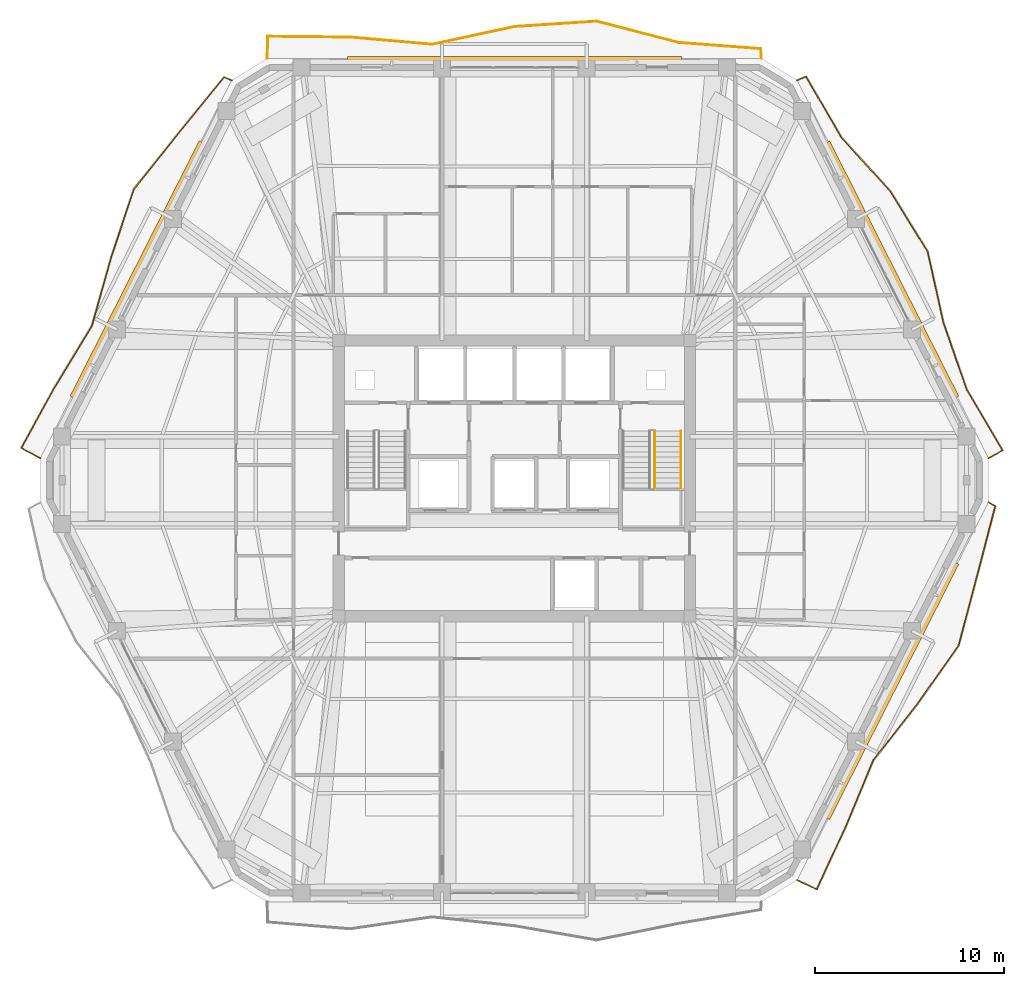
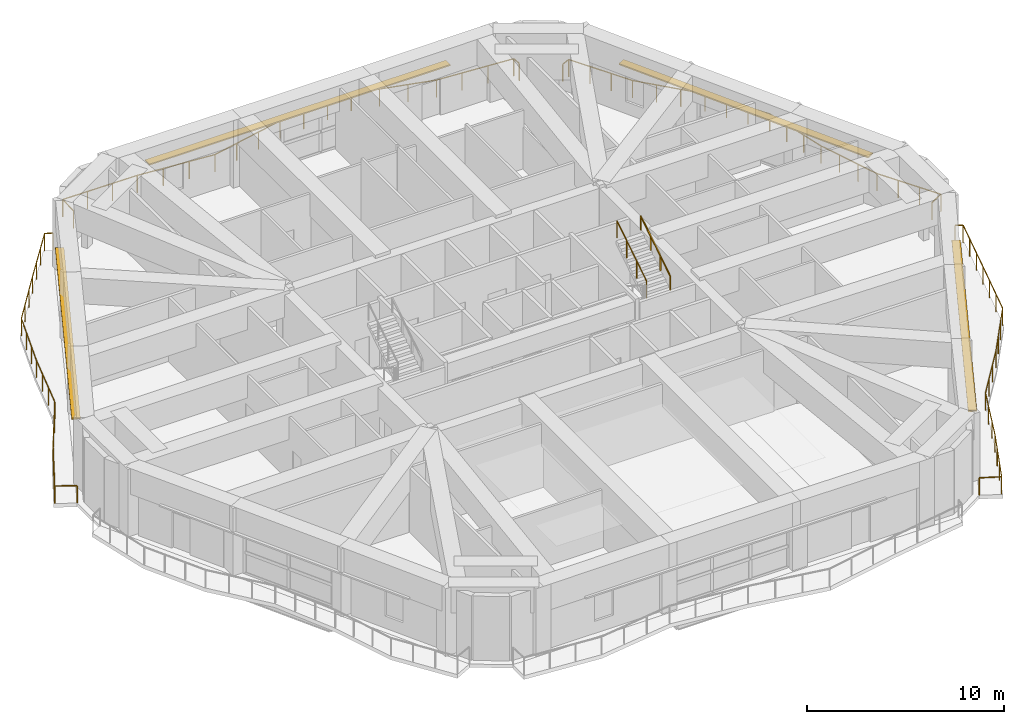
# One storey, part 20 of 20: 6 railings, 4 shading devices.
"""IFC4 building model written with IfcOpenShell, lengths in metres."""

from ifc_helpers import new_model, si_unit, direction, frame, origin, origin_2d, place, context, subcontext, project, spatial, rectangle, extrude, material, layer, layer_set, type_object, element, save


model = new_model("IFC4")

# Units and contexts
model_context = context("Model", 3, precision=1e-05, world=origin(), true_north=direction((0.0, 1.0)))
body_context = subcontext(model_context, "Body", "Model", "MODEL_VIEW")
ifc_project = project(units=[si_unit("LENGTHUNIT", "METRE"), si_unit("AREAUNIT", "SQUARE_METRE"), si_unit("VOLUMEUNIT", "CUBIC_METRE"), si_unit("PLANEANGLEUNIT", "RADIAN"), si_unit("MASSUNIT", "GRAM", prefix="KILO")], contexts=[model_context])

# Site, building, storey
site_placement = place(None, origin())
site = spatial("IfcSite", under=ifc_project, at=site_placement, CompositionType="ELEMENT")
building_placement = place(site_placement, origin())
building = spatial("IfcBuilding", under=site, at=building_placement, Name="Cinnabar Lancet Tower", CompositionType="ELEMENT")
storey_placement = place(building_placement, frame((0.0, 0.0, 167.699951171875)))
storey = spatial("IfcBuildingStorey", under=building, at=storey_placement, Name="L44", CompositionType="ELEMENT", Elevation=167.699951171875)

# Railings
ifc_material_1 = material(Name="Laminated safety glass and bronze stainless steel balustrade", Category="steel")
railing_type_1 = type_object("IfcRailingType", Name="ENV-RLG-BAL-1100", PredefinedType="BALUSTRADE", material=ifc_material_1)
railing_1_placement = place(storey_placement, frame((47.37890625, 4.610107421875, 0.0)))
element("IfcRailing", 1, at=railing_1_placement, inside=storey, type_object=railing_type_1, Name="L44 Face 2 Wave Balcony Balustrade", PredefinedType="BALUSTRADE", context=body_context, shape_type="SweptSolid", body=[
    extrude(rectangle(XDim=0.048095703125, YDim=0.048095703125, at=origin_2d()), frame((0.0, 0.0, 1.076171875), z_axis=(0.904184593979, -0.427141920222, 0.0), x_axis=(0.427141920222, 0.904184593979, 0.0)), (0.0, 0.0, 1.0), 1.144775390625),
    extrude(rectangle(XDim=0.048095703125, YDim=0.048095703125, at=origin_2d()), frame((1.03515625, -0.489013671875, 1.076171875), z_axis=(0.420002959534, 0.907522734692, 0.0), x_axis=(-0.907522734692, 0.420002959534, 0.0)), (0.0, 0.0, 1.0), 3.7353515625),
    extrude(rectangle(XDim=0.048095703125, YDim=0.048095703125, at=origin_2d()), frame((2.60400390625, 2.90087890625, 1.076171875), z_axis=(0.383484772364, 0.923547199316, 0.0), x_axis=(-0.923547199316, 0.383484772364, 0.0)), (0.0, 0.0, 1.0), 3.7421875),
    extrude(rectangle(XDim=0.048095703125, YDim=0.048095703125, at=origin_2d()), frame((4.0390625, 6.35693359375, 1.076171875), z_axis=(0.616780642221, 0.787135083313, 0.0), x_axis=(-0.787135083313, 0.616780642221, 0.0)), (0.0, 0.0, 1.0), 3.803466796875),
    extrude(rectangle(XDim=0.048095703125, YDim=0.048095703125, at=origin_2d()), frame((6.385009765625, 9.350830078125, 1.076171875), z_axis=(0.575607286241, 0.81772626962, 0.0), x_axis=(-0.81772626962, 0.575607286241, 0.0)), (0.0, 0.0, 1.0), 3.770263671875),
    extrude(rectangle(XDim=0.048095703125, YDim=0.048095703125, at=origin_2d()), frame((8.55517578125, 12.433837890625, 1.076171875), z_axis=(0.256096635593, 0.966651184884, 0.0), x_axis=(-0.966651184884, 0.256096635593, 0.0)), (0.0, 0.0, 1.0), 3.814208984375),
    extrude(rectangle(XDim=0.048095703125, YDim=0.048095703125, at=origin_2d()), frame((9.531982421875, 16.120849609375, 1.076171875), z_axis=(0.252466139857, 0.96760572974, 0.0), x_axis=(-0.96760572974, 0.252466139857, 0.0)), (0.0, 0.0, 1.0), 3.81884765625),
    extrude(rectangle(XDim=0.048095703125, YDim=0.048095703125, at=origin_2d()), frame((10.49609375, 19.81591796875, 1.076171875), z_axis=(-0.86100742579, 0.508592383677, 0.0), x_axis=(-0.508592383677, -0.86100742579, 0.0)), (0.0, 0.0, 1.0), 0.42041015625),
    extrude(rectangle(XDim=0.0419921875, YDim=0.0419921875, at=origin_2d()), origin(), (0.0, 0.0, 1.0), 1.052001953125),
    extrude(rectangle(XDim=0.0419921875, YDim=0.0419921875, at=origin_2d()), frame((1.03515625, -0.489013671875, 0.0)), (0.0, 0.0, 1.0), 1.052001953125),
    extrude(rectangle(XDim=0.0419921875, YDim=0.0419921875, at=origin_2d()), frame((1.55810546875, 0.640869140625, 0.0)), (0.0, 0.0, 1.0), 1.052001953125),
    extrude(rectangle(XDim=0.0419921875, YDim=0.0419921875, at=origin_2d()), frame((2.0810546875, 1.77099609375, 0.0)), (0.0, 0.0, 1.0), 1.052001953125),
    extrude(rectangle(XDim=0.0419921875, YDim=0.0419921875, at=origin_2d()), frame((2.60400390625, 2.90087890625, 0.0)), (0.0, 0.0, 1.0), 1.052001953125),
    extrude(rectangle(XDim=0.0419921875, YDim=0.0419921875, at=origin_2d()), frame((3.082275390625, 4.052978515625, 0.0)), (0.0, 0.0, 1.0), 1.052001953125),
    extrude(rectangle(XDim=0.0419921875, YDim=0.0419921875, at=origin_2d()), frame((3.560791015625, 5.204833984375, 0.0)), (0.0, 0.0, 1.0), 1.052001953125),
    extrude(rectangle(XDim=0.0419921875, YDim=0.0419921875, at=origin_2d()), frame((4.0390625, 6.35693359375, 0.0)), (0.0, 0.0, 1.0), 1.052001953125),
    extrude(rectangle(XDim=0.0419921875, YDim=0.0419921875, at=origin_2d()), frame((4.821044921875, 7.35498046875, 0.0)), (0.0, 0.0, 1.0), 1.052001953125),
    extrude(rectangle(XDim=0.0419921875, YDim=0.0419921875, at=origin_2d()), frame((5.60302734375, 8.352783203125, 0.0)), (0.0, 0.0, 1.0), 1.052001953125),
    extrude(rectangle(XDim=0.0419921875, YDim=0.0419921875, at=origin_2d()), frame((6.385009765625, 9.350830078125, 0.0)), (0.0, 0.0, 1.0), 1.052001953125),
    extrude(rectangle(XDim=0.0419921875, YDim=0.0419921875, at=origin_2d()), frame((7.1083984375, 10.37841796875, 0.0)), (0.0, 0.0, 1.0), 1.052001953125),
    extrude(rectangle(XDim=0.0419921875, YDim=0.0419921875, at=origin_2d()), frame((7.831787109375, 11.40625, 0.0)), (0.0, 0.0, 1.0), 1.052001953125),
    extrude(rectangle(XDim=0.0419921875, YDim=0.0419921875, at=origin_2d()), frame((8.55517578125, 12.433837890625, 0.0)), (0.0, 0.0, 1.0), 1.052001953125),
    extrude(rectangle(XDim=0.0419921875, YDim=0.0419921875, at=origin_2d()), frame((8.880859375, 13.662841796875, 0.0)), (0.0, 0.0, 1.0), 1.052001953125),
    extrude(rectangle(XDim=0.0419921875, YDim=0.0419921875, at=origin_2d()), frame((9.206298828125, 14.891845703125, 0.0)), (0.0, 0.0, 1.0), 1.052001953125),
    extrude(rectangle(XDim=0.0419921875, YDim=0.0419921875, at=origin_2d()), frame((9.531982421875, 16.120849609375, 0.0)), (0.0, 0.0, 1.0), 1.052001953125),
    extrude(rectangle(XDim=0.0419921875, YDim=0.0419921875, at=origin_2d()), frame((9.853271484375, 17.3525390625, 0.0)), (0.0, 0.0, 1.0), 1.052001953125),
    extrude(rectangle(XDim=0.0419921875, YDim=0.0419921875, at=origin_2d()), frame((10.1748046875, 18.584228515625, 0.0)), (0.0, 0.0, 1.0), 1.052001953125),
    extrude(rectangle(XDim=0.0419921875, YDim=0.0419921875, at=origin_2d()), frame((10.49609375, 19.81591796875, 0.0)), (0.0, 0.0, 1.0), 1.052001953125),
    extrude(rectangle(XDim=0.0419921875, YDim=0.0419921875, at=origin_2d()), frame((10.134033203125, 20.02978515625, 0.0)), (0.0, 0.0, 1.0), 1.052001953125),
])
railing_2_placement = place(storey_placement, frame((57.512939453125, 26.9599609375, 0.0)))
element("IfcRailing", 2, at=railing_2_placement, inside=storey, type_object=railing_type_1, Name="L44 Face 3 Wave Balcony Balustrade", PredefinedType="BALUSTRADE", context=body_context, shape_type="SweptSolid", body=[
    extrude(rectangle(XDim=0.048095703125, YDim=0.048095703125, at=origin_2d()), frame((0.0, 0.0, 1.076171875), z_axis=(0.876831685223, 0.480797458176, 0.0), x_axis=(-0.480797458176, 0.876831685223, 0.0)), (0.0, 0.0, 1.0), 0.861083984375),
    extrude(rectangle(XDim=0.048095703125, YDim=0.048095703125, at=origin_2d()), frame((0.755126953125, 0.4140625, 1.076171875), z_axis=(-0.508722712496, 0.860930427962, 0.0), x_axis=(-0.860930427962, -0.508722712496, 0.0)), (0.0, 0.0, 1.0), 3.739013671875),
    extrude(rectangle(XDim=0.048095703125, YDim=0.048095703125, at=origin_2d()), frame((-1.14697265625, 3.633056640625, 1.076171875), z_axis=(-0.328885347722, 0.944369857658, 0.0), x_axis=(-0.944369857658, -0.328885347722, 0.0)), (0.0, 0.0, 1.0), 3.764404296875),
    extrude(rectangle(XDim=0.048095703125, YDim=0.048095703125, at=origin_2d()), frame((-2.385009765625, 7.18798828125, 1.076171875), z_axis=(-0.216890168439, 0.976196012507, 0.0), x_axis=(-0.976196012507, -0.216890168439, 0.0)), (0.0, 0.0, 1.0), 3.849609375),
    extrude(rectangle(XDim=0.048095703125, YDim=0.048095703125, at=origin_2d()), frame((-3.219970703125, 10.946044921875, 1.076171875), z_axis=(-0.525526191551, 0.850777422123, 0.0), x_axis=(-0.850777422123, -0.525526191551, 0.0)), (0.0, 0.0, 1.0), 3.744873046875),
    extrude(rectangle(XDim=0.048095703125, YDim=0.048095703125, at=origin_2d()), frame((-5.18798828125, 14.132080078125, 1.076171875), z_axis=(-0.672009774336, 0.740542276442, 0.0), x_axis=(-0.740542276442, -0.672009774336, 0.0)), (0.0, 0.0, 1.0), 3.86865234375),
    extrude(rectangle(XDim=0.048095703125, YDim=0.048095703125, at=origin_2d()), frame((-7.787841796875, 16.9970703125, 1.076171875), z_axis=(-0.502530807405, 0.86455930254, 0.0), x_axis=(-0.86455930254, -0.502530807405, 0.0)), (0.0, 0.0, 1.0), 3.7392578125),
    extrude(rectangle(XDim=0.048095703125, YDim=0.048095703125, at=origin_2d()), frame((-9.6669921875, 20.22998046875, 1.076171875), z_axis=(-0.919294100668, -0.393571285127, 0.0), x_axis=(0.393571285127, -0.919294100668, 0.0)), (0.0, 0.0, 1.0), 0.508056640625),
    extrude(rectangle(XDim=0.0419921875, YDim=0.0419921875, at=origin_2d()), origin(), (0.0, 0.0, 1.0), 1.052001953125),
    extrude(rectangle(XDim=0.0419921875, YDim=0.0419921875, at=origin_2d()), frame((0.755126953125, 0.4140625, 0.0)), (0.0, 0.0, 1.0), 1.052001953125),
    extrude(rectangle(XDim=0.0419921875, YDim=0.0419921875, at=origin_2d()), frame((0.12109375, 1.487060546875, 0.0)), (0.0, 0.0, 1.0), 1.052001953125),
    extrude(rectangle(XDim=0.0419921875, YDim=0.0419921875, at=origin_2d()), frame((-0.512939453125, 2.56005859375, 0.0)), (0.0, 0.0, 1.0), 1.052001953125),
    extrude(rectangle(XDim=0.0419921875, YDim=0.0419921875, at=origin_2d()), frame((-1.14697265625, 3.633056640625, 0.0)), (0.0, 0.0, 1.0), 1.052001953125),
    extrude(rectangle(XDim=0.0419921875, YDim=0.0419921875, at=origin_2d()), frame((-1.5595703125, 4.818115234375, 0.0)), (0.0, 0.0, 1.0), 1.052001953125),
    extrude(rectangle(XDim=0.0419921875, YDim=0.0419921875, at=origin_2d()), frame((-1.972412109375, 6.0029296875, 0.0)), (0.0, 0.0, 1.0), 1.052001953125),
    extrude(rectangle(XDim=0.0419921875, YDim=0.0419921875, at=origin_2d()), frame((-2.385009765625, 7.18798828125, 0.0)), (0.0, 0.0, 1.0), 1.052001953125),
    extrude(rectangle(XDim=0.0419921875, YDim=0.0419921875, at=origin_2d()), frame((-2.663330078125, 8.440673828125, 0.0)), (0.0, 0.0, 1.0), 1.052001953125),
    extrude(rectangle(XDim=0.0419921875, YDim=0.0419921875, at=origin_2d()), frame((-2.941650390625, 9.693359375, 0.0)), (0.0, 0.0, 1.0), 1.052001953125),
    extrude(rectangle(XDim=0.0419921875, YDim=0.0419921875, at=origin_2d()), frame((-3.219970703125, 10.946044921875, 0.0)), (0.0, 0.0, 1.0), 1.052001953125),
    extrude(rectangle(XDim=0.0419921875, YDim=0.0419921875, at=origin_2d()), frame((-3.8759765625, 12.008056640625, 0.0)), (0.0, 0.0, 1.0), 1.052001953125),
    extrude(rectangle(XDim=0.0419921875, YDim=0.0419921875, at=origin_2d()), frame((-4.531982421875, 13.070068359375, 0.0)), (0.0, 0.0, 1.0), 1.052001953125),
    extrude(rectangle(XDim=0.0419921875, YDim=0.0419921875, at=origin_2d()), frame((-5.18798828125, 14.132080078125, 0.0)), (0.0, 0.0, 1.0), 1.052001953125),
    extrude(rectangle(XDim=0.0419921875, YDim=0.0419921875, at=origin_2d()), frame((-6.0546875, 15.087158203125, 0.0)), (0.0, 0.0, 1.0), 1.052001953125),
    extrude(rectangle(XDim=0.0419921875, YDim=0.0419921875, at=origin_2d()), frame((-6.921142578125, 16.0419921875, 0.0)), (0.0, 0.0, 1.0), 1.052001953125),
    extrude(rectangle(XDim=0.0419921875, YDim=0.0419921875, at=origin_2d()), frame((-7.787841796875, 16.9970703125, 0.0)), (0.0, 0.0, 1.0), 1.052001953125),
    extrude(rectangle(XDim=0.0419921875, YDim=0.0419921875, at=origin_2d()), frame((-8.414306640625, 18.07470703125, 0.0)), (0.0, 0.0, 1.0), 1.052001953125),
    extrude(rectangle(XDim=0.0419921875, YDim=0.0419921875, at=origin_2d()), frame((-9.04052734375, 19.15234375, 0.0)), (0.0, 0.0, 1.0), 1.052001953125),
    extrude(rectangle(XDim=0.0419921875, YDim=0.0419921875, at=origin_2d()), frame((-9.6669921875, 20.22998046875, 0.0)), (0.0, 0.0, 1.0), 1.052001953125),
    extrude(rectangle(XDim=0.0419921875, YDim=0.0419921875, at=origin_2d()), frame((-10.134033203125, 20.030029296875, 0.0)), (0.0, 0.0, 1.0), 1.052001953125),
])
railing_3_placement = place(storey_placement, frame((45.491943359375, 48.14990234375, 0.0)))
element("IfcRailing", 3, at=railing_3_placement, inside=storey, type_object=railing_type_1, Name="L44 Face 4 Wave Balcony Balustrade", PredefinedType="BALUSTRADE", context=body_context, shape_type="SweptSolid", body=[
    extrude(rectangle(XDim=0.048095703125, YDim=0.048095703125, at=origin_2d()), frame((0.0, 0.0, 1.076171875), z_axis=(-0.069083947487, 0.997610850081, 0.0), x_axis=(-0.997610850081, -0.069083947487, 0.0)), (0.0, 0.0, 1.0), 0.50537109375),
    extrude(rectangle(XDim=0.048095703125, YDim=0.048095703125, at=origin_2d()), frame((-0.034912109375, 0.504150390625, 1.076171875), z_axis=(-0.997209933969, 0.074648158677, 0.0), x_axis=(-0.074648158677, -0.997209933969, 0.0)), (0.0, 0.0, 1.0), 4.3662109375),
    extrude(rectangle(XDim=0.048095703125, YDim=0.048095703125, at=origin_2d()), frame((-4.388916015625, 0.830078125, 1.076171875), z_axis=(-0.967832028373, 0.251597227441, 0.0), x_axis=(-0.251597227441, -0.967832028373, 0.0)), (0.0, 0.0, 1.0), 4.49560546875),
    extrude(rectangle(XDim=0.048095703125, YDim=0.048095703125, at=origin_2d()), frame((-8.739990234375, 1.961181640625, 1.076171875), z_axis=(-0.997845669964, -0.06560502217, 0.0), x_axis=(0.06560502217, -0.997845669964, 0.0)), (0.0, 0.0, 1.0), 4.361328125),
    extrude(rectangle(XDim=0.048095703125, YDim=0.048095703125, at=origin_2d()), frame((-13.092041015625, 1.675048828125, 1.076171875), z_axis=(-0.977585950076, -0.210536719398, 0.0), x_axis=(0.210536719398, -0.977585950076, 0.0)), (0.0, 0.0, 1.0), 4.45068359375),
    extrude(rectangle(XDim=0.048095703125, YDim=0.048095703125, at=origin_2d()), frame((-17.44287109375, 0.738037109375, 1.076171875), z_axis=(-0.996228208251, 0.086771868055, 0.0), x_axis=(-0.086771868055, -0.996228208251, 0.0)), (0.0, 0.0, 1.0), 4.36962890625),
    extrude(rectangle(XDim=0.048095703125, YDim=0.048095703125, at=origin_2d()), frame((-21.7958984375, 1.1171875, 1.076171875), z_axis=(-0.999949068753, 0.010092566579, 0.0), x_axis=(-0.010092566579, -0.999949068753, 0.0)), (0.0, 0.0, 1.0), 4.354248046875),
    extrude(rectangle(XDim=0.048095703125, YDim=0.048095703125, at=origin_2d()), frame((-26.14990234375, 1.1611328125, 1.076171875), z_axis=(-0.029213766394, -0.999573186842, 0.0), x_axis=(0.999573186842, -0.029213766394, 0.0)), (0.0, 0.0, 1.0), 1.16162109375),
    extrude(rectangle(XDim=0.0419921875, YDim=0.0419921875, at=origin_2d()), origin(), (0.0, 0.0, 1.0), 1.052001953125),
    extrude(rectangle(XDim=0.0419921875, YDim=0.0419921875, at=origin_2d()), frame((-0.034912109375, 0.504150390625, 0.0)), (0.0, 0.0, 1.0), 1.052001953125),
    extrude(rectangle(XDim=0.0419921875, YDim=0.0419921875, at=origin_2d()), frame((-1.486328125, 0.61279296875, 0.0)), (0.0, 0.0, 1.0), 1.052001953125),
    extrude(rectangle(XDim=0.0419921875, YDim=0.0419921875, at=origin_2d()), frame((-2.9375, 0.721435546875, 0.0)), (0.0, 0.0, 1.0), 1.052001953125),
    extrude(rectangle(XDim=0.0419921875, YDim=0.0419921875, at=origin_2d()), frame((-4.388916015625, 0.830078125, 0.0)), (0.0, 0.0, 1.0), 1.052001953125),
    extrude(rectangle(XDim=0.0419921875, YDim=0.0419921875, at=origin_2d()), frame((-5.83935546875, 1.20703125, 0.0)), (0.0, 0.0, 1.0), 1.052001953125),
    extrude(rectangle(XDim=0.0419921875, YDim=0.0419921875, at=origin_2d()), frame((-7.28955078125, 1.584228515625, 0.0)), (0.0, 0.0, 1.0), 1.052001953125),
    extrude(rectangle(XDim=0.0419921875, YDim=0.0419921875, at=origin_2d()), frame((-8.739990234375, 1.961181640625, 0.0)), (0.0, 0.0, 1.0), 1.052001953125),
    extrude(rectangle(XDim=0.0419921875, YDim=0.0419921875, at=origin_2d()), frame((-10.190673828125, 1.86572265625, 0.0)), (0.0, 0.0, 1.0), 1.052001953125),
    extrude(rectangle(XDim=0.0419921875, YDim=0.0419921875, at=origin_2d()), frame((-11.641357421875, 1.7705078125, 0.0)), (0.0, 0.0, 1.0), 1.052001953125),
    extrude(rectangle(XDim=0.0419921875, YDim=0.0419921875, at=origin_2d()), frame((-13.092041015625, 1.675048828125, 0.0)), (0.0, 0.0, 1.0), 1.052001953125),
    extrude(rectangle(XDim=0.0419921875, YDim=0.0419921875, at=origin_2d()), frame((-14.542236328125, 1.36279296875, 0.0)), (0.0, 0.0, 1.0), 1.052001953125),
    extrude(rectangle(XDim=0.0419921875, YDim=0.0419921875, at=origin_2d()), frame((-15.99267578125, 1.05029296875, 0.0)), (0.0, 0.0, 1.0), 1.052001953125),
    extrude(rectangle(XDim=0.0419921875, YDim=0.0419921875, at=origin_2d()), frame((-17.44287109375, 0.738037109375, 0.0)), (0.0, 0.0, 1.0), 1.052001953125),
    extrude(rectangle(XDim=0.0419921875, YDim=0.0419921875, at=origin_2d()), frame((-18.893798828125, 0.864501953125, 0.0)), (0.0, 0.0, 1.0), 1.052001953125),
    extrude(rectangle(XDim=0.0419921875, YDim=0.0419921875, at=origin_2d()), frame((-20.344970703125, 0.99072265625, 0.0)), (0.0, 0.0, 1.0), 1.052001953125),
    extrude(rectangle(XDim=0.0419921875, YDim=0.0419921875, at=origin_2d()), frame((-21.7958984375, 1.1171875, 0.0)), (0.0, 0.0, 1.0), 1.052001953125),
    extrude(rectangle(XDim=0.0419921875, YDim=0.0419921875, at=origin_2d()), frame((-23.247314453125, 1.1318359375, 0.0)), (0.0, 0.0, 1.0), 1.052001953125),
    extrude(rectangle(XDim=0.0419921875, YDim=0.0419921875, at=origin_2d()), frame((-24.698486328125, 1.146484375, 0.0)), (0.0, 0.0, 1.0), 1.052001953125),
    extrude(rectangle(XDim=0.0419921875, YDim=0.0419921875, at=origin_2d()), frame((-26.14990234375, 1.1611328125, 0.0)), (0.0, 0.0, 1.0), 1.052001953125),
    extrude(rectangle(XDim=0.0419921875, YDim=0.0419921875, at=origin_2d()), frame((-26.183837890625, 0.0, 0.0)), (0.0, 0.0, 1.0), 1.052001953125),
])
railing_4_placement = place(storey_placement, frame((17.4208984375, 46.989990234375, 0.0)))
element("IfcRailing", 4, at=railing_4_placement, inside=storey, type_object=railing_type_1, Name="L44 Face 5 Wave Balcony Balustrade", PredefinedType="BALUSTRADE", context=body_context, shape_type="SweptSolid", body=[
    extrude(rectangle(XDim=0.048095703125, YDim=0.048095703125, at=origin_2d()), frame((0.0, 0.0, 1.076171875), z_axis=(-0.924380364904, 0.381472071036, 0.0), x_axis=(-0.381472071036, -0.924380364904, 0.0)), (0.0, 0.0, 1.0), 0.425048828125),
    extrude(rectangle(XDim=0.048095703125, YDim=0.048095703125, at=origin_2d()), frame((-0.392822265625, 0.162109375, 1.076171875), z_axis=(-0.631561961657, -0.775325408192, 0.0), x_axis=(0.775325408192, -0.631561961657, 0.0)), (0.0, 0.0, 1.0), 3.8193359375),
    extrude(rectangle(XDim=0.048095703125, YDim=0.048095703125, at=origin_2d()), frame((-2.804931640625, -2.799072265625, 1.076171875), z_axis=(-0.624601313491, -0.780943787468, 0.0), x_axis=(0.780943787468, -0.624601313491, 0.0)), (0.0, 0.0, 1.0), 3.811767578125),
    extrude(rectangle(XDim=0.048095703125, YDim=0.048095703125, at=origin_2d()), frame((-5.185791015625, -5.77587890625, 1.076171875), z_axis=(-0.314635377087, -0.949212610265, 0.0), x_axis=(0.949212610265, -0.314635377087, 0.0)), (0.0, 0.0, 1.0), 3.772705078125),
    extrude(rectangle(XDim=0.048095703125, YDim=0.048095703125, at=origin_2d()), frame((-6.372802734375, -9.35693359375, 1.076171875), z_axis=(-0.271521191604, -0.962432461272, 0.0), x_axis=(0.962432461272, -0.271521191604, 0.0)), (0.0, 0.0, 1.0), 3.80078125),
    extrude(rectangle(XDim=0.048095703125, YDim=0.048095703125, at=origin_2d()), frame((-7.40478515625, -13.014892578125, 1.076171875), z_axis=(-0.519121097922, -0.854700699481, 0.0), x_axis=(0.854700699481, -0.519121097922, 0.0)), (0.0, 0.0, 1.0), 3.7431640625),
    extrude(rectangle(XDim=0.048095703125, YDim=0.048095703125, at=origin_2d()), frame((-9.347900390625, -16.214111328125, 1.076171875), z_axis=(-0.480628318047, -0.876924409451, 0.0), x_axis=(0.876924409451, -0.480628318047, 0.0)), (0.0, 0.0, 1.0), 3.734619140625),
    extrude(rectangle(XDim=0.048095703125, YDim=0.048095703125, at=origin_2d()), frame((-11.142822265625, -19.489013671875, 1.076171875), z_axis=(0.881311902279, -0.472535004948, 0.0), x_axis=(0.472535004948, 0.881311902279, 0.0)), (0.0, 0.0, 1.0), 1.14501953125),
    extrude(rectangle(XDim=0.0419921875, YDim=0.0419921875, at=origin_2d()), origin(), (0.0, 0.0, 1.0), 1.052001953125),
    extrude(rectangle(XDim=0.0419921875, YDim=0.0419921875, at=origin_2d()), frame((-0.392822265625, 0.162109375, 0.0)), (0.0, 0.0, 1.0), 1.052001953125),
    extrude(rectangle(XDim=0.0419921875, YDim=0.0419921875, at=origin_2d()), frame((-1.19677734375, -0.824951171875, 0.0)), (0.0, 0.0, 1.0), 1.052001953125),
    extrude(rectangle(XDim=0.0419921875, YDim=0.0419921875, at=origin_2d()), frame((-2.0009765625, -1.81201171875, 0.0)), (0.0, 0.0, 1.0), 1.052001953125),
    extrude(rectangle(XDim=0.0419921875, YDim=0.0419921875, at=origin_2d()), frame((-2.804931640625, -2.799072265625, 0.0)), (0.0, 0.0, 1.0), 1.052001953125),
    extrude(rectangle(XDim=0.0419921875, YDim=0.0419921875, at=origin_2d()), frame((-3.5986328125, -3.791259765625, 0.0)), (0.0, 0.0, 1.0), 1.052001953125),
    extrude(rectangle(XDim=0.0419921875, YDim=0.0419921875, at=origin_2d()), frame((-4.39208984375, -4.78369140625, 0.0)), (0.0, 0.0, 1.0), 1.052001953125),
    extrude(rectangle(XDim=0.0419921875, YDim=0.0419921875, at=origin_2d()), frame((-5.185791015625, -5.77587890625, 0.0)), (0.0, 0.0, 1.0), 1.052001953125),
    extrude(rectangle(XDim=0.0419921875, YDim=0.0419921875, at=origin_2d()), frame((-5.58154296875, -6.969482421875, 0.0)), (0.0, 0.0, 1.0), 1.052001953125),
    extrude(rectangle(XDim=0.0419921875, YDim=0.0419921875, at=origin_2d()), frame((-5.97705078125, -8.163330078125, 0.0)), (0.0, 0.0, 1.0), 1.052001953125),
    extrude(rectangle(XDim=0.0419921875, YDim=0.0419921875, at=origin_2d()), frame((-6.372802734375, -9.35693359375, 0.0)), (0.0, 0.0, 1.0), 1.052001953125),
    extrude(rectangle(XDim=0.0419921875, YDim=0.0419921875, at=origin_2d()), frame((-6.716796875, -10.576171875, 0.0)), (0.0, 0.0, 1.0), 1.052001953125),
    extrude(rectangle(XDim=0.0419921875, YDim=0.0419921875, at=origin_2d()), frame((-7.060791015625, -11.795654296875, 0.0)), (0.0, 0.0, 1.0), 1.052001953125),
    extrude(rectangle(XDim=0.0419921875, YDim=0.0419921875, at=origin_2d()), frame((-7.40478515625, -13.014892578125, 0.0)), (0.0, 0.0, 1.0), 1.052001953125),
    extrude(rectangle(XDim=0.0419921875, YDim=0.0419921875, at=origin_2d()), frame((-8.052490234375, -14.081298828125, 0.0)), (0.0, 0.0, 1.0), 1.052001953125),
    extrude(rectangle(XDim=0.0419921875, YDim=0.0419921875, at=origin_2d()), frame((-8.7001953125, -15.147705078125, 0.0)), (0.0, 0.0, 1.0), 1.052001953125),
    extrude(rectangle(XDim=0.0419921875, YDim=0.0419921875, at=origin_2d()), frame((-9.347900390625, -16.214111328125, 0.0)), (0.0, 0.0, 1.0), 1.052001953125),
    extrude(rectangle(XDim=0.0419921875, YDim=0.0419921875, at=origin_2d()), frame((-9.9462890625, -17.3056640625, 0.0)), (0.0, 0.0, 1.0), 1.052001953125),
    extrude(rectangle(XDim=0.0419921875, YDim=0.0419921875, at=origin_2d()), frame((-10.54443359375, -18.3974609375, 0.0)), (0.0, 0.0, 1.0), 1.052001953125),
    extrude(rectangle(XDim=0.0419921875, YDim=0.0419921875, at=origin_2d()), frame((-11.142822265625, -19.489013671875, 0.0)), (0.0, 0.0, 1.0), 1.052001953125),
    extrude(rectangle(XDim=0.0419921875, YDim=0.0419921875, at=origin_2d()), frame((-10.1337890625, -20.030029296875, 0.0)), (0.0, 0.0, 1.0), 1.052001953125),
])

# Shading devices
ifc_material_2 = material(Name="Pale limestone architectural aluminium sunshade", Category="masonry")
ifc_layer = layer(ifc_material_2, 0.080078125)
ifc_layer_set = layer_set([ifc_layer], Name="Pale limestone architectural aluminium sunshade")
shading_device_type = type_object("IfcShadingDeviceType", Name="ENV-SHD-LVR-450", PredefinedType="JALOUSIE", material=ifc_layer_set)
for number, where, z_axis, x_axis, name in (
    (5, (52.319091796875, 14.68603515625, 2.639892578125), (0.0, 0.0, 1.0), (0.451469426816, 0.892286588855, 0.0), "L44 Face 2 Horizontal Sunshade Canopy"),
    (6, (52.319091796875, 36.9140625, 2.639892578125), (0.0, 0.0, 1.0), (-0.451469426816, 0.892286588855, 0.0), "L44 Face 3 Horizontal Sunshade Canopy"),
):
    element("IfcShadingDevice", number, at=place(storey_placement, frame(where, z_axis=z_axis, x_axis=x_axis)), inside=storey, type_object=shading_device_type, Name=name, PredefinedType="JALOUSIE", context=body_context, shape_type="SweptSolid", body=[
        extrude(rectangle(XDim=15.154052734375, YDim=0.449951171875, at=origin_2d()), origin(), (0.0, 0.0, 1.0), 0.080078125),
    ])
shading_device_1_placement = place(storey_placement, frame((32.39990234375, 48.010009765625, 2.639892578125), z_axis=(0.0, 0.0, 1.0), x_axis=(-1.0, 0.0, 0.0)))
element("IfcShadingDevice", 7, at=shading_device_1_placement, inside=storey, type_object=shading_device_type, Name="L44 Face 4 Horizontal Sunshade Canopy", PredefinedType="JALOUSIE", context=body_context, shape_type="SweptSolid", body=[
    extrude(rectangle(XDim=17.679931640625, YDim=0.449951171875, at=origin_2d()), origin(), (0.0, 0.0, 1.0), 0.080078125),
])
shading_device_2_placement = place(storey_placement, frame((12.48095703125, 36.9140625, 2.639892578125), z_axis=(0.0, 0.0, 1.0), x_axis=(-0.451469426816, -0.892286588855, 0.0)))
element("IfcShadingDevice", 8, at=shading_device_2_placement, inside=storey, type_object=shading_device_type, Name="L44 Face 5 Horizontal Sunshade Canopy", PredefinedType="JALOUSIE", context=body_context, shape_type="SweptSolid", body=[
    extrude(rectangle(XDim=15.154052734375, YDim=0.449951171875, at=origin_2d()), origin(), (0.0, 0.0, 1.0), 0.080078125),
])

# Railings
ifc_material_3 = material(Name="Painted galvanized steel balustrade", Category="steel")
railing_type_2 = type_object("IfcRailingType", Name="GUARD-STAIR", PredefinedType="GUARDRAIL", material=ifc_material_3)
railing_5_placement = place(storey_placement, frame((39.824951171875, 25.375, 2.275146484375)))
element("IfcRailing", 9, at=railing_5_placement, inside=storey, type_object=railing_type_2, Name="L44 ST-2 stair guard 3", PredefinedType="GUARDRAIL", context=body_context, shape_type="SweptSolid", body=[
    extrude(rectangle(XDim=0.048095703125, YDim=0.048095703125, at=origin_2d()), frame((0.0, 0.0, 1.076171875), z_axis=(0.0, 0.843678310415, 0.536849055634), x_axis=(-1.0, 0.0, 0.0)), (0.0, 0.0, 1.0), 3.58544921875),
    extrude(rectangle(XDim=0.0419921875, YDim=0.0419921875, at=origin_2d()), origin(), (0.0, 0.0, 1.0), 1.052001953125),
    extrude(rectangle(XDim=0.0419921875, YDim=0.0419921875, at=origin_2d()), frame((0.0, 1.00830078125, 0.6416015625)), (0.0, 0.0, 1.0), 1.052001953125),
    extrude(rectangle(XDim=0.0419921875, YDim=0.0419921875, at=origin_2d()), frame((0.0, 2.0166015625, 1.283203125)), (0.0, 0.0, 1.0), 1.052001953125),
    extrude(rectangle(XDim=0.0419921875, YDim=0.0419921875, at=origin_2d()), frame((0.0, 3.02490234375, 1.9248046875)), (0.0, 0.0, 1.0), 1.052001953125),
])
ifc_material_4 = material(Name="Brushed stainless steel handrail", Category="steel")
railing_type_3 = type_object("IfcRailingType", Name="HANDRAIL-STAIR", PredefinedType="HANDRAIL", material=ifc_material_4)
railing_6_placement = place(storey_placement, frame((41.22509765625, 25.375, 2.275146484375)))
element("IfcRailing", 10, at=railing_6_placement, inside=storey, type_object=railing_type_3, Name="L44 ST-2 stair handrail 2", PredefinedType="HANDRAIL", context=body_context, shape_type="SweptSolid", body=[
    extrude(rectangle(XDim=0.048095703125, YDim=0.048095703125, at=origin_2d()), frame((0.0, 0.0, 0.8759765625), z_axis=(0.0, 0.843678310415, 0.536849055634), x_axis=(-1.0, 0.0, 0.0)), (0.0, 0.0, 1.0), 3.58544921875),
    extrude(rectangle(XDim=0.0419921875, YDim=0.0419921875, at=origin_2d()), origin(), (0.0, 0.0, 1.0), 0.851806640625),
    extrude(rectangle(XDim=0.0419921875, YDim=0.0419921875, at=origin_2d()), frame((0.0, 1.00830078125, 0.6416015625)), (0.0, 0.0, 1.0), 0.851806640625),
    extrude(rectangle(XDim=0.0419921875, YDim=0.0419921875, at=origin_2d()), frame((0.0, 2.0166015625, 1.283203125)), (0.0, 0.0, 1.0), 0.851806640625),
    extrude(rectangle(XDim=0.0419921875, YDim=0.0419921875, at=origin_2d()), frame((0.0, 3.02490234375, 1.9248046875)), (0.0, 0.0, 1.0), 0.851806640625),
])

save(model, "model.ifc")
